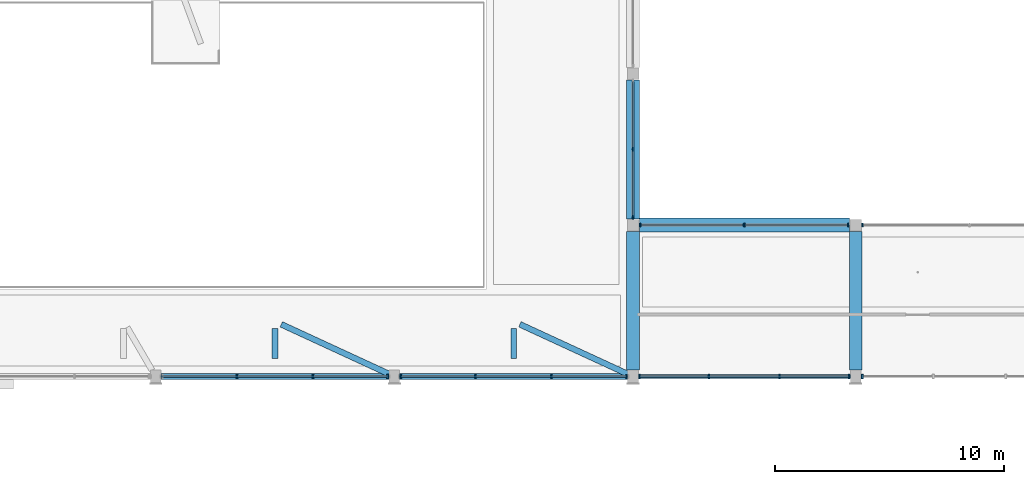
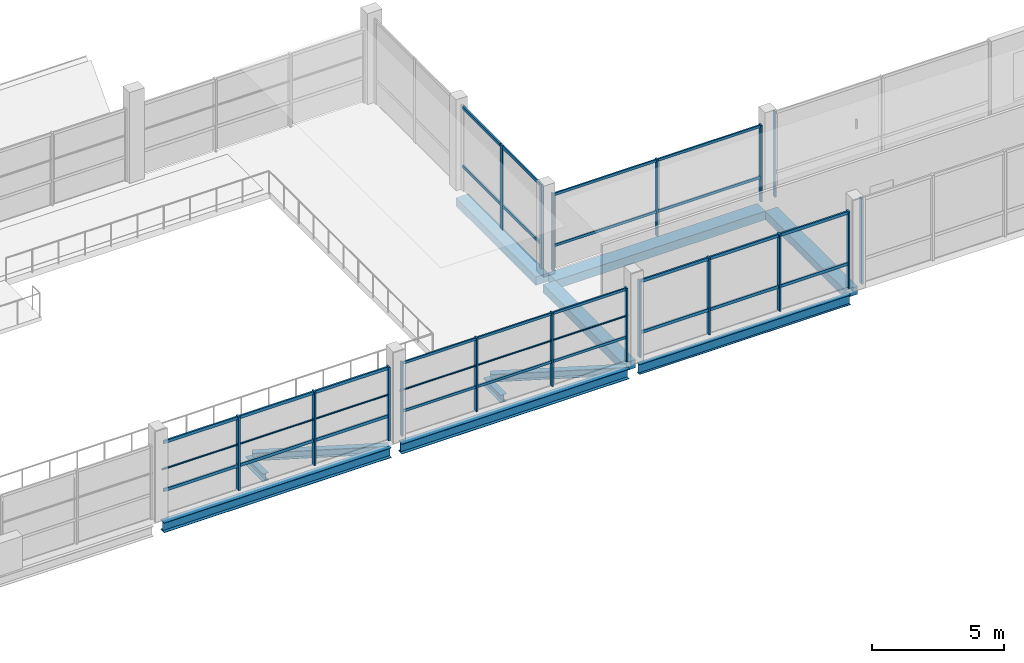
# One storey, part 18 of 85: 30 members, 11 beams, 7 elements without a shape of their own.
"""IFC4 building model written with IfcOpenShell, lengths in metres."""

from ifc_helpers import new_model, si_unit, derived_unit, direction, frame, origin, origin_2d, place, context, subcontext, project, spatial, rectangle, hollow_circle, i_section, extrude, material, material_profile, profile_set, type_object, element, aggregate, save


model = new_model("IFC4")

# Units and contexts
model_context = context("Model", 3, precision=1e-05, world=origin(), true_north=direction((0.0, 1.0)))
body_context = subcontext(model_context, "Body", "Model", "MODEL_VIEW")
ifc_project = project(units=[si_unit("LENGTHUNIT", "METRE"), si_unit("AREAUNIT", "SQUARE_METRE"), si_unit("VOLUMEUNIT", "CUBIC_METRE"), si_unit("PLANEANGLEUNIT", "RADIAN"), si_unit("MASSUNIT", "GRAM", prefix="KILO"), derived_unit("THERMALTRANSMITTANCEUNIT", [(si_unit("POWERUNIT", "WATT"), 1), (si_unit("LENGTHUNIT", "METRE"), -2), (si_unit("THERMODYNAMICTEMPERATUREUNIT", "KELVIN"), -1)])], contexts=[model_context])

# Site, building, storey
site_placement = place(None, origin())
site = spatial("IfcSite", under=ifc_project, at=site_placement, CompositionType="ELEMENT")
building_placement = place(site_placement, origin())
building = spatial("IfcBuilding", under=site, at=building_placement, Name="Braskholm Square Health Centre", CompositionType="ELEMENT")
storey_placement = place(building_placement, frame((0.0, 0.0, 9.300048828125)))
storey = spatial("IfcBuildingStorey", under=building, at=storey_placement, Name="L03", CompositionType="ELEMENT", Elevation=9.300048828125)

# Members
ifc_material_1 = material(Name="Steel ASTM A500 Grade C", Category="steel")
ifc_material_profile_1 = material_profile(ifc_material_1, hollow_circle(Radius=0.04443359375, WallThickness=0.005126953125, at=origin_2d()), Name="HSS3.500X0.216")
ifc_profile_set_1 = profile_set([ifc_material_profile_1], Name="Steel ASTM A500 Grade C")
member_type_1 = type_object("IfcMemberType", Name="ClerestoryGirtStrutCHS89", PredefinedType="STRUT", material=ifc_profile_set_1)
for number, where, z_axis, x_axis, name in (
    (1, (99.81005859375, 87.199951171875, 2.099853515625), (1.0, 0.0, 0.0), (0.0, 1.0, 0.0), "Waiting Hall high clerestory girt Bay 6"),
    (2, (110.2099609375, 87.199951171875, 2.099853515625), (1.0, 0.0, 0.0), (0.0, 1.0, 0.0), "Waiting Hall high clerestory girt Bay 7"),
):
    element("IfcMember", number, at=place(storey_placement, frame(where, z_axis=z_axis, x_axis=x_axis)), inside=storey, type_object=member_type_1, Name=name, PredefinedType="STRUT", context=body_context, shape_type="SweptSolid", body=[
        extrude(hollow_circle(Radius=0.04443359375, WallThickness=0.005126953125, at=origin_2d()), origin(), (0.0, 0.0, 1.0), 9.97998046875),
    ])

# Curtain wall, members
ifc_material_2 = material(Name="Low-E triple insulating glass (VLT 0.64)", Category="glass")
curtain_wall_type_1 = type_object("IfcCurtainWallType", Name="UnitisedCurtainWall6200x3650", PredefinedType="NOTDEFINED", material=ifc_material_2)
curtain_wall_1_placement = place(storey_placement, origin())
curtain_wall_1 = element("IfcCurtainWall", 3, at=curtain_wall_1_placement, inside=storey, type_object=curtain_wall_type_1, Name="Hall Clerestory L03 unitised curtain wall CW-L03-0200", PredefinedType="NOTDEFINED")
ifc_material_3 = material(Name="Architectural bronze anodised aluminium", Category="aluminium")
ifc_material_profile_2 = material_profile(ifc_material_3, rectangle(XDim=0.06494140625, YDim=0.14990234375, at=origin_2d()), Name="ALU-65X150")
ifc_profile_set_2 = profile_set([ifc_material_profile_2], Name="Architectural bronze anodised aluminium")
member_type_2 = type_object("IfcMemberType", Name="CurtainWallMullion65x150", PredefinedType="MULLION", material=ifc_profile_set_2)
member_1_placement = place(storey_placement, frame((110.29150390625, 87.199951171875, 0.0), z_axis=(0.0, 0.0, 1.0), x_axis=(1.0, 0.0, 0.0)))
member_1 = element("IfcMember", 4, at=member_1_placement, type_object=member_type_2, Name="CW-L03-0200 vertical mullion 1", PredefinedType="MULLION", context=body_context, shape_type="SweptSolid", body=[
    extrude(rectangle(XDim=0.06494140625, YDim=0.14990234375, at=origin_2d()), origin(), (0.0, 0.0, 1.0), 3.406005859375),
])
member_2_placement = place(storey_placement, frame((113.5439453125, 87.199951171875, 0.0), z_axis=(0.0, 0.0, 1.0), x_axis=(1.0, 0.0, 0.0)))
member_2 = element("IfcMember", 5, at=member_2_placement, type_object=member_type_2, Name="CW-L03-0200 vertical mullion 2", PredefinedType="MULLION", context=body_context, shape_type="SweptSolid", body=[
    extrude(rectangle(XDim=0.06494140625, YDim=0.14990234375, at=origin_2d()), origin(), (0.0, 0.0, 1.0), 3.406005859375),
])
member_3_placement = place(storey_placement, frame((116.85595703125, 87.199951171875, 0.0), z_axis=(0.0, 0.0, 1.0), x_axis=(1.0, 0.0, 0.0)))
member_3 = element("IfcMember", 6, at=member_3_placement, type_object=member_type_2, Name="CW-L03-0200 vertical mullion 3", PredefinedType="MULLION", context=body_context, shape_type="SweptSolid", body=[
    extrude(rectangle(XDim=0.06494140625, YDim=0.14990234375, at=origin_2d()), origin(), (0.0, 0.0, 1.0), 3.406005859375),
])
member_4_placement = place(storey_placement, frame((120.1083984375, 87.199951171875, 0.0), z_axis=(0.0, 0.0, 1.0), x_axis=(1.0, 0.0, 0.0)))
member_4 = element("IfcMember", 7, at=member_4_placement, type_object=member_type_2, Name="CW-L03-0200 vertical mullion 4", PredefinedType="MULLION", context=body_context, shape_type="SweptSolid", body=[
    extrude(rectangle(XDim=0.06494140625, YDim=0.14990234375, at=origin_2d()), origin(), (0.0, 0.0, 1.0), 3.406005859375),
])

curtain_wall_2_placement = place(storey_placement, origin())
curtain_wall_2 = element("IfcCurtainWall", 8, at=curtain_wall_2_placement, inside=storey, type_object=curtain_wall_type_1, Name="Portal North L03 unitised curtain wall CW-L03-0206", PredefinedType="NOTDEFINED")
member_5_placement = place(storey_placement, frame((129.792724609375, 93.800048828125, 0.0), z_axis=(0.0, 0.0, 1.0), x_axis=(1.0, 0.0, 0.0)))
member_5 = element("IfcMember", 9, at=member_5_placement, type_object=member_type_2, Name="CW-L03-0206 vertical mullion 1", PredefinedType="MULLION", context=body_context, shape_type="SweptSolid", body=[
    extrude(rectangle(XDim=0.06494140625, YDim=0.14990234375, at=origin_2d()), origin(), (0.0, 0.0, 1.0), 3.550048828125),
])
member_6_placement = place(storey_placement, frame((125.25, 93.800048828125, 0.0), z_axis=(0.0, 0.0, 1.0), x_axis=(1.0, 0.0, 0.0)))
member_6 = element("IfcMember", 10, at=member_6_placement, type_object=member_type_2, Name="CW-L03-0206 vertical mullion 2", PredefinedType="MULLION", context=body_context, shape_type="SweptSolid", body=[
    extrude(rectangle(XDim=0.06494140625, YDim=0.14990234375, at=origin_2d()), origin(), (0.0, 0.0, 1.0), 3.550048828125),
])
member_7_placement = place(storey_placement, frame((120.707275390625, 93.800048828125, 0.0), z_axis=(0.0, 0.0, 1.0), x_axis=(1.0, 0.0, 0.0)))
member_7 = element("IfcMember", 11, at=member_7_placement, type_object=member_type_2, Name="CW-L03-0206 vertical mullion 3", PredefinedType="MULLION", context=body_context, shape_type="SweptSolid", body=[
    extrude(rectangle(XDim=0.06494140625, YDim=0.14990234375, at=origin_2d()), origin(), (0.0, 0.0, 1.0), 3.550048828125),
])

# Curtain wall, member
curtain_wall_type_2 = type_object("IfcCurtainWallType", Name="UnitisedCurtainWall6200x4100", PredefinedType="NOTDEFINED", material=ifc_material_2)
curtain_wall_3_placement = place(storey_placement, origin())
curtain_wall_3 = element("IfcCurtainWall", 12, at=curtain_wall_3_placement, inside=storey, type_object=curtain_wall_type_2, Name="Portal North L03 unitised curtain wall CW-L03-0212", PredefinedType="NOTDEFINED")
member_8_placement = place(storey_placement, frame((130.40869140625, 93.800048828125, 0.0), z_axis=(0.0, 0.0, 1.0), x_axis=(1.0, 0.0, 0.0)))
member_8 = element("IfcMember", 13, at=member_8_placement, type_object=member_type_2, Name="CW-L03-0212 vertical mullion 3", PredefinedType="MULLION", context=body_context, shape_type="SweptSolid", body=[
    extrude(rectangle(XDim=0.06494140625, YDim=0.14990234375, at=origin_2d()), origin(), (0.0, 0.0, 1.0), 3.949951171875),
])
aggregate(curtain_wall_3, [member_8])

# Curtain wall, members
curtain_wall_4_placement = place(storey_placement, origin())
curtain_wall_4 = element("IfcCurtainWall", 14, at=curtain_wall_4_placement, inside=storey, type_object=curtain_wall_type_1, Name="Hall Clerestory L03 unitised curtain wall CW-L03-0197", PredefinedType="NOTDEFINED")
ifc_material_profile_3 = material_profile(ifc_material_3, rectangle(XDim=0.074951171875, YDim=0.179931640625, at=origin_2d()), Name="ALU-75X180")
ifc_profile_set_3 = profile_set([ifc_material_profile_3], Name="Architectural bronze anodised aluminium")
member_type_3 = type_object("IfcMemberType", Name="CurtainWallMullion75x180", PredefinedType="MULLION", material=ifc_profile_set_3)
member_9_placement = place(storey_placement, frame((103.14404296875, 87.199951171875, 0.0), z_axis=(0.0, 0.0, 1.0), x_axis=(1.0, 0.0, 0.0)))
member_9 = element("IfcMember", 15, at=member_9_placement, type_object=member_type_3, Name="CW-L03-0197 vertical mullion 2", PredefinedType="MULLION", context=body_context, shape_type="SweptSolid", body=[
    extrude(rectangle(XDim=0.074951171875, YDim=0.179931640625, at=origin_2d()), origin(), (0.0, 0.0, 1.0), 3.406005859375),
])
member_10_placement = place(storey_placement, frame((106.4560546875, 87.199951171875, 0.0), z_axis=(0.0, 0.0, 1.0), x_axis=(1.0, 0.0, 0.0)))
member_10 = element("IfcMember", 16, at=member_10_placement, type_object=member_type_3, Name="CW-L03-0197 vertical mullion 3", PredefinedType="MULLION", context=body_context, shape_type="SweptSolid", body=[
    extrude(rectangle(XDim=0.074951171875, YDim=0.179931640625, at=origin_2d()), origin(), (0.0, 0.0, 1.0), 3.406005859375),
])
member_11_placement = place(storey_placement, frame((109.70849609375, 87.199951171875, 0.0), z_axis=(0.0, 0.0, 1.0), x_axis=(1.0, 0.0, 0.0)))
member_11 = element("IfcMember", 17, at=member_11_placement, type_object=member_type_3, Name="CW-L03-0197 vertical mullion 4", PredefinedType="MULLION", context=body_context, shape_type="SweptSolid", body=[
    extrude(rectangle(XDim=0.074951171875, YDim=0.179931640625, at=origin_2d()), origin(), (0.0, 0.0, 1.0), 3.406005859375),
])

curtain_wall_5_placement = place(storey_placement, origin())
curtain_wall_5 = element("IfcCurtainWall", 18, at=curtain_wall_5_placement, inside=storey, type_object=curtain_wall_type_1, Name="Hall Clerestory L03 unitised curtain wall CW-L03-0203", PredefinedType="NOTDEFINED")
member_12_placement = place(storey_placement, frame((120.6875, 87.199951171875, 0.0), z_axis=(0.0, 0.0, 1.0), x_axis=(1.0, 0.0, 0.0)))
member_12 = element("IfcMember", 19, at=member_12_placement, type_object=member_type_3, Name="CW-L03-0203 vertical mullion 1", PredefinedType="MULLION", context=body_context, shape_type="SweptSolid", body=[
    extrude(rectangle(XDim=0.074951171875, YDim=0.179931640625, at=origin_2d()), origin(), (0.0, 0.0, 1.0), 3.550048828125),
])
member_13_placement = place(storey_placement, frame((123.710693359375, 87.199951171875, 0.0), z_axis=(0.0, 0.0, 1.0), x_axis=(1.0, 0.0, 0.0)))
member_13 = element("IfcMember", 20, at=member_13_placement, type_object=member_type_3, Name="CW-L03-0203 vertical mullion 2", PredefinedType="MULLION", context=body_context, shape_type="SweptSolid", body=[
    extrude(rectangle(XDim=0.074951171875, YDim=0.179931640625, at=origin_2d()), origin(), (0.0, 0.0, 1.0), 3.550048828125),
])
member_14_placement = place(storey_placement, frame((126.789306640625, 87.199951171875, 0.0), z_axis=(0.0, 0.0, 1.0), x_axis=(1.0, 0.0, 0.0)))
member_14 = element("IfcMember", 21, at=member_14_placement, type_object=member_type_3, Name="CW-L03-0203 vertical mullion 3", PredefinedType="MULLION", context=body_context, shape_type="SweptSolid", body=[
    extrude(rectangle(XDim=0.074951171875, YDim=0.179931640625, at=origin_2d()), origin(), (0.0, 0.0, 1.0), 3.550048828125),
])
member_15_placement = place(storey_placement, frame((129.8125, 87.199951171875, 0.0), z_axis=(0.0, 0.0, 1.0), x_axis=(1.0, 0.0, 0.0)))
member_15 = element("IfcMember", 22, at=member_15_placement, type_object=member_type_3, Name="CW-L03-0203 vertical mullion 4", PredefinedType="MULLION", context=body_context, shape_type="SweptSolid", body=[
    extrude(rectangle(XDim=0.074951171875, YDim=0.179931640625, at=origin_2d()), origin(), (0.0, 0.0, 1.0), 3.550048828125),
])

# Curtain wall, member
curtain_wall_6_placement = place(storey_placement, origin())
curtain_wall_6 = element("IfcCurtainWall", 23, at=curtain_wall_6_placement, inside=storey, type_object=curtain_wall_type_2, Name="Hall Clerestory L03 unitised curtain wall CW-L03-0209", PredefinedType="NOTDEFINED")
member_16_placement = place(storey_placement, frame((130.388916015625, 87.199951171875, 0.0), z_axis=(0.0, 0.0, 1.0), x_axis=(1.0, 0.0, 0.0)))
member_16 = element("IfcMember", 24, at=member_16_placement, type_object=member_type_3, Name="CW-L03-0209 vertical mullion 1", PredefinedType="MULLION", context=body_context, shape_type="SweptSolid", body=[
    extrude(rectangle(XDim=0.074951171875, YDim=0.179931640625, at=origin_2d()), origin(), (0.0, 0.0, 1.0), 3.949951171875),
])
aggregate(curtain_wall_6, [member_16])

# Curtain wall, members
curtain_wall_type_3 = type_object("IfcCurtainWallType", Name="UnitisedCurtainWall6200x3800", PredefinedType="NOTDEFINED", material=ifc_material_2)
curtain_wall_7_placement = place(storey_placement, origin())
curtain_wall_7 = element("IfcCurtainWall", 25, at=curtain_wall_7_placement, inside=storey, type_object=curtain_wall_type_3, Name="Hall Cheek L03 unitised curtain wall CW-L03-0227", PredefinedType="NOTDEFINED")
member_17_placement = place(storey_placement, frame((120.39990234375, 94.135986328125, 0.0), z_axis=(0.0, 0.0, 1.0), x_axis=(1.0, 0.0, 0.0)))
member_17 = element("IfcMember", 26, at=member_17_placement, type_object=member_type_3, Name="CW-L03-0227 vertical mullion 1", PredefinedType="MULLION", context=body_context, shape_type="SweptSolid", body=[
    extrude(rectangle(XDim=0.074951171875, YDim=0.179931640625, at=origin_2d()), origin(), (0.0, 0.0, 1.0), 3.89990234375),
])
member_18_placement = place(storey_placement, frame((120.39990234375, 97.10009765625, 0.0), z_axis=(0.0, 0.0, 1.0), x_axis=(1.0, 0.0, 0.0)))
member_18 = element("IfcMember", 27, at=member_18_placement, type_object=member_type_3, Name="CW-L03-0227 vertical mullion 2", PredefinedType="MULLION", context=body_context, shape_type="SweptSolid", body=[
    extrude(rectangle(XDim=0.074951171875, YDim=0.179931640625, at=origin_2d()), origin(), (0.0, 0.0, 1.0), 3.89990234375),
])

# Member
ifc_material_profile_4 = material_profile(ifc_material_3, rectangle(XDim=0.06494140625, YDim=0.1201171875, at=origin_2d()), Name="ALU-65X120")
ifc_profile_set_4 = profile_set([ifc_material_profile_4], Name="Architectural bronze anodised aluminium")
member_type_4 = type_object("IfcMemberType", Name="CurtainWallTransom65x120", PredefinedType="USERDEFINED", material=ifc_profile_set_4)
member_19_placement = place(storey_placement, frame((110.277099609375, 87.199951171875, 1.119873046875), z_axis=(1.0, 0.0, 0.0), x_axis=(0.0, 1.0, 0.0)))
member_19 = element("IfcMember", 28, at=member_19_placement, type_object=member_type_4, Name="CW-L03-0200 horizontal transom 1", ObjectType="TRANSOM", PredefinedType="USERDEFINED", context=body_context, shape_type="SweptSolid", body=[
    extrude(rectangle(XDim=0.06494140625, YDim=0.1201171875, at=origin_2d()), origin(), (0.0, 0.0, 1.0), 9.845947265625),
])

member_20_placement = place(storey_placement, frame((110.277099609375, 87.199951171875, 3.3359375), z_axis=(1.0, 0.0, 0.0), x_axis=(0.0, 1.0, 0.0)))
member_20 = element("IfcMember", 29, at=member_20_placement, type_object=member_type_4, Name="CW-L03-0200 horizontal transom 2", ObjectType="TRANSOM", PredefinedType="USERDEFINED", context=body_context, shape_type="SweptSolid", body=[
    extrude(rectangle(XDim=0.06494140625, YDim=0.1201171875, at=origin_2d()), origin(), (0.0, 0.0, 1.0), 9.845947265625),
])

aggregate(curtain_wall_1, [member_1, member_2, member_3, member_4, member_19, member_20])

member_21_placement = place(storey_placement, frame((129.802978515625, 93.800048828125, 1.119873046875), z_axis=(-1.0, 0.0, 0.0), x_axis=(0.0, -1.0, 0.0)))
member_21 = element("IfcMember", 30, at=member_21_placement, type_object=member_type_4, Name="CW-L03-0206 horizontal transom 1", ObjectType="TRANSOM", PredefinedType="USERDEFINED", context=body_context, shape_type="SweptSolid", body=[
    extrude(rectangle(XDim=0.06494140625, YDim=0.1201171875, at=origin_2d()), origin(), (0.0, 0.0, 1.0), 9.10595703125),
])

member_22_placement = place(storey_placement, frame((129.802978515625, 93.800048828125, 3.47998046875), z_axis=(-1.0, 0.0, 0.0), x_axis=(0.0, -1.0, 0.0)))
member_22 = element("IfcMember", 31, at=member_22_placement, type_object=member_type_4, Name="CW-L03-0206 horizontal transom 2", ObjectType="TRANSOM", PredefinedType="USERDEFINED", context=body_context, shape_type="SweptSolid", body=[
    extrude(rectangle(XDim=0.06494140625, YDim=0.1201171875, at=origin_2d()), origin(), (0.0, 0.0, 1.0), 9.10595703125),
])

aggregate(curtain_wall_2, [member_5, member_6, member_7, member_21, member_22])

ifc_material_profile_5 = material_profile(ifc_material_3, rectangle(XDim=0.074951171875, YDim=0.139892578125, at=origin_2d()), Name="ALU-75X140")
ifc_profile_set_5 = profile_set([ifc_material_profile_5], Name="Architectural bronze anodised aluminium")
member_type_5 = type_object("IfcMemberType", Name="CurtainWallTransom75x140", PredefinedType="USERDEFINED", material=ifc_profile_set_5)
member_23_placement = place(storey_placement, frame((99.876953125, 87.199951171875, 1.119873046875), z_axis=(1.0, 0.0, 0.0), x_axis=(0.0, 1.0, 0.0)))
member_23 = element("IfcMember", 32, at=member_23_placement, type_object=member_type_5, Name="CW-L03-0197 horizontal transom 1", ObjectType="TRANSOM", PredefinedType="USERDEFINED", context=body_context, shape_type="SweptSolid", body=[
    extrude(rectangle(XDim=0.074951171875, YDim=0.139892578125, at=origin_2d()), origin(), (0.0, 0.0, 1.0), 9.845947265625),
])

member_24_placement = place(storey_placement, frame((99.876953125, 87.199951171875, 3.3359375), z_axis=(1.0, 0.0, 0.0), x_axis=(0.0, 1.0, 0.0)))
member_24 = element("IfcMember", 33, at=member_24_placement, type_object=member_type_5, Name="CW-L03-0197 horizontal transom 2", ObjectType="TRANSOM", PredefinedType="USERDEFINED", context=body_context, shape_type="SweptSolid", body=[
    extrude(rectangle(XDim=0.074951171875, YDim=0.139892578125, at=origin_2d()), origin(), (0.0, 0.0, 1.0), 9.845947265625),
])

aggregate(curtain_wall_4, [member_9, member_10, member_11, member_23, member_24])

member_25_placement = place(storey_placement, frame((120.677001953125, 87.199951171875, 1.119873046875), z_axis=(1.0, 0.0, 0.0), x_axis=(0.0, 1.0, 0.0)))
member_25 = element("IfcMember", 34, at=member_25_placement, type_object=member_type_5, Name="CW-L03-0203 horizontal transom 1", ObjectType="TRANSOM", PredefinedType="USERDEFINED", context=body_context, shape_type="SweptSolid", body=[
    extrude(rectangle(XDim=0.074951171875, YDim=0.139892578125, at=origin_2d()), origin(), (0.0, 0.0, 1.0), 9.14599609375),
])

member_26_placement = place(storey_placement, frame((120.677001953125, 87.199951171875, 3.47998046875), z_axis=(1.0, 0.0, 0.0), x_axis=(0.0, 1.0, 0.0)))
member_26 = element("IfcMember", 35, at=member_26_placement, type_object=member_type_5, Name="CW-L03-0203 horizontal transom 2", ObjectType="TRANSOM", PredefinedType="USERDEFINED", context=body_context, shape_type="SweptSolid", body=[
    extrude(rectangle(XDim=0.074951171875, YDim=0.139892578125, at=origin_2d()), origin(), (0.0, 0.0, 1.0), 9.14599609375),
])

aggregate(curtain_wall_5, [member_12, member_13, member_14, member_15, member_25, member_26])

member_27_placement = place(storey_placement, frame((120.39990234375, 94.14501953125, 1.119873046875), z_axis=(0.0, 1.0, 0.0), x_axis=(-1.0, 0.0, 0.0)))
member_27 = element("IfcMember", 36, at=member_27_placement, type_object=member_type_5, Name="CW-L03-0227 horizontal transom 1", ObjectType="TRANSOM", PredefinedType="USERDEFINED", context=body_context, shape_type="SweptSolid", body=[
    extrude(rectangle(XDim=0.074951171875, YDim=0.139892578125, at=origin_2d()), origin(), (0.0, 0.0, 1.0), 5.909912109375),
])

member_28_placement = place(storey_placement, frame((120.39990234375, 94.14501953125, 3.829833984375), z_axis=(0.0, 1.0, 0.0), x_axis=(-1.0, 0.0, 0.0)))
member_28 = element("IfcMember", 37, at=member_28_placement, type_object=member_type_5, Name="CW-L03-0227 horizontal transom 2", ObjectType="TRANSOM", PredefinedType="USERDEFINED", context=body_context, shape_type="SweptSolid", body=[
    extrude(rectangle(XDim=0.074951171875, YDim=0.139892578125, at=origin_2d()), origin(), (0.0, 0.0, 1.0), 5.909912109375),
])

aggregate(curtain_wall_7, [member_17, member_18, member_27, member_28])

# Beams
ifc_material_4 = material(Name="Concrete C35/45 (f'c = 35 MPa)", Category="concrete")
ifc_material_profile_6 = material_profile(ifc_material_4, rectangle(XDim=0.550048828125, YDim=0.3798828125, at=origin_2d()), Name="RCB-550X380")
ifc_profile_set_6 = profile_set([ifc_material_profile_6], Name="Concrete C35/45 (f'c = 35 MPa)")
beam_type_1 = type_object("IfcBeamType", Name="PrimaryBandBeam550x380", PredefinedType="BEAM", material=ifc_profile_set_6)
beam_1_placement = place(storey_placement, frame((120.39990234375, 87.47998046875, -0.489990234375), z_axis=(0.0, 1.0, 0.0), x_axis=(-1.0, 0.0, 0.0)))
element("IfcBeam", 38, at=beam_1_placement, inside=storey, type_object=beam_type_1, Name="Beam 15/N-P L03", PredefinedType="BEAM", context=body_context, shape_type="SweptSolid", body=[
    extrude(rectangle(XDim=0.550048828125, YDim=0.3798828125, at=origin_2d()), origin(), (0.0, 0.0, 1.0), 6.044921875),
])
beam_2_placement = place(storey_placement, frame((120.39990234375, 94.074951171875, -0.489990234375), z_axis=(0.0, 1.0, 0.0), x_axis=(-1.0, 0.0, 0.0)))
element("IfcBeam", 39, at=beam_2_placement, inside=storey, type_object=beam_type_1, Name="Beam 15/P-Q L03", PredefinedType="BEAM", context=body_context, shape_type="SweptSolid", body=[
    extrude(rectangle(XDim=0.550048828125, YDim=0.3798828125, at=origin_2d()), origin(), (0.0, 0.0, 1.0), 6.050048828125),
])
beam_3_placement = place(storey_placement, frame((130.10009765625, 87.47998046875, -0.489990234375), z_axis=(0.0, 1.0, 0.0), x_axis=(-1.0, 0.0, 0.0)))
element("IfcBeam", 40, at=beam_3_placement, inside=storey, type_object=beam_type_1, Name="Beam 16/N-P L03", PredefinedType="BEAM", context=body_context, shape_type="SweptSolid", body=[
    extrude(rectangle(XDim=0.550048828125, YDim=0.3798828125, at=origin_2d()), origin(), (0.0, 0.0, 1.0), 6.044921875),
])
ifc_material_profile_7 = material_profile(ifc_material_4, rectangle(XDim=0.60009765625, YDim=0.39990234375, at=origin_2d()), Name="RCB-600X400")
ifc_profile_set_7 = profile_set([ifc_material_profile_7], Name="Concrete C35/45 (f'c = 35 MPa)")
beam_type_2 = type_object("IfcBeamType", Name="PrimaryBandBeam600x400", PredefinedType="BEAM", material=ifc_profile_set_7)
beam_4_placement = place(storey_placement, frame((120.675048828125, 93.800048828125, -0.5), z_axis=(1.0, 0.0, 0.0), x_axis=(0.0, 1.0, 0.0)))
element("IfcBeam", 41, at=beam_4_placement, inside=storey, type_object=beam_type_2, Name="Beam 15-16/P L03", PredefinedType="BEAM", context=body_context, shape_type="SweptSolid", body=[
    extrude(rectangle(XDim=0.60009765625, YDim=0.39990234375, at=origin_2d()), origin(), (0.0, 0.0, 1.0), 9.14990234375),
])
ifc_material_5 = material(Name="Steel ASTM A992 Grade 50", Category="steel")
ifc_material_profile_8 = material_profile(ifc_material_5, i_section(OverallWidth=0.2548828125, OverallDepth=0.35693359375, WebThickness=0.010498046875, FlangeThickness=0.018310546875, at=origin_2d()), Name="W14X68")
ifc_profile_set_8 = profile_set([ifc_material_profile_8], Name="Steel ASTM A992 Grade 50")
beam_type_3 = type_object("IfcBeamType", Name="SteelBeamCanopyW14X68", PredefinedType="BEAM", material=ifc_profile_set_8)
for number, where, z_axis, x_axis, name in (
    (42, (105.070556640625, 89.47509765625, -0.478515625), (0.907966284726, -0.419043226649, 0.0), (0.419043226649, 0.907966284726, 0.0), "Tie beam RC05 L03"),
    (43, (115.470703125, 89.47509765625, -0.478515625), (0.907966284726, -0.419043226649, 0.0), (0.419043226649, 0.907966284726, 0.0), "Tie beam RC06 L03"),
):
    element("IfcBeam", number, at=place(storey_placement, frame(where, z_axis=z_axis, x_axis=x_axis)), inside=storey, type_object=beam_type_3, Name=name, PredefinedType="BEAM", context=body_context, shape_type="SweptSolid", body=[
        extrude(i_section(OverallWidth=0.2548828125, OverallDepth=0.35693359375, WebThickness=0.010498046875, FlangeThickness=0.018310546875, at=origin_2d()), origin(), (0.0, 0.0, 1.0), 5.177734375),
    ])
for number, where, z_axis, x_axis, name in (
    (44, (104.800048828125, 87.97607421875, -0.478515625), (0.0, 1.0, 0.0), (-1.0, 0.0, 0.0), "Tie beam CS1E L03"),
    (45, (115.199951171875, 87.97607421875, -0.478515625), (0.0, 1.0, 0.0), (-1.0, 0.0, 0.0), "Tie beam CS1F L03"),
):
    element("IfcBeam", number, at=place(storey_placement, frame(where, z_axis=z_axis, x_axis=x_axis)), inside=storey, type_object=beam_type_3, Name=name, PredefinedType="BEAM", context=body_context, shape_type="SweptSolid", body=[
        extrude(i_section(OverallWidth=0.2548828125, OverallDepth=0.35693359375, WebThickness=0.010498046875, FlangeThickness=0.018310546875, at=origin_2d()), origin(), (0.0, 0.0, 1.0), 1.325927734375),
    ])
ifc_material_profile_9 = material_profile(ifc_material_5, i_section(OverallWidth=0.280029296875, OverallDepth=0.462890625, WebThickness=0.0107421875, FlangeThickness=0.017333984375, at=origin_2d()), Name="W18X76")
ifc_profile_set_9 = profile_set([ifc_material_profile_9], Name="Steel ASTM A992 Grade 50")
beam_type_4 = type_object("IfcBeamType", Name="SteelGirderGalleryW18X76", PredefinedType="BEAM", material=ifc_profile_set_9)
for number, where, z_axis, x_axis, name in (
    (46, (99.830078125, 87.199951171875, -0.531494140625), (1.0, 0.0, 0.0), (0.0, 1.0, 0.0), "Beam 13-14/N L03"),
    (47, (110.22998046875, 87.199951171875, -0.531494140625), (1.0, 0.0, 0.0), (0.0, 1.0, 0.0), "Beam 14-15/N L03"),
):
    element("IfcBeam", number, at=place(storey_placement, frame(where, z_axis=z_axis, x_axis=x_axis)), inside=storey, type_object=beam_type_4, Name=name, PredefinedType="BEAM", context=body_context, shape_type="SweptSolid", body=[
        extrude(i_section(OverallWidth=0.280029296875, OverallDepth=0.462890625, WebThickness=0.0107421875, FlangeThickness=0.017333984375, at=origin_2d()), origin(), (0.0, 0.0, 1.0), 9.93994140625),
    ])
ifc_material_profile_10 = material_profile(ifc_material_5, i_section(OverallWidth=0.19091796875, OverallDepth=0.4599609375, WebThickness=0.010009765625, FlangeThickness=0.01611328125, at=origin_2d()), Name="W18X55")
ifc_profile_set_10 = profile_set([ifc_material_profile_10], Name="Steel ASTM A992 Grade 50")
beam_type_5 = type_object("IfcBeamType", Name="SteelGirderLinkW18X55", PredefinedType="BEAM", material=ifc_profile_set_10)
beam_5_placement = place(storey_placement, frame((120.6298828125, 87.199951171875, -0.530029296875), z_axis=(1.0, 0.0, 0.0), x_axis=(0.0, 1.0, 0.0)))
element("IfcBeam", 48, at=beam_5_placement, inside=storey, type_object=beam_type_5, Name="Beam 15-16/N L03", PredefinedType="BEAM", context=body_context, shape_type="SweptSolid", body=[
    extrude(i_section(OverallWidth=0.19091796875, OverallDepth=0.4599609375, WebThickness=0.010009765625, FlangeThickness=0.01611328125, at=origin_2d()), origin(), (0.0, 0.0, 1.0), 9.240234375),
])

save(model, "model.ifc")
